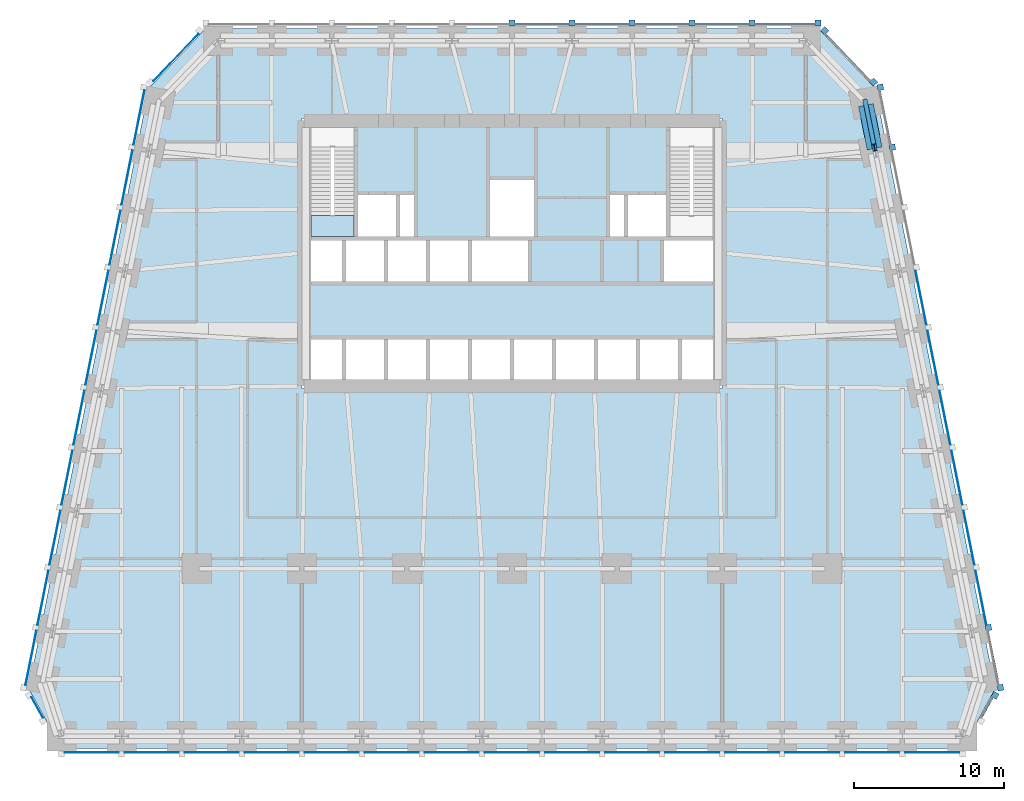
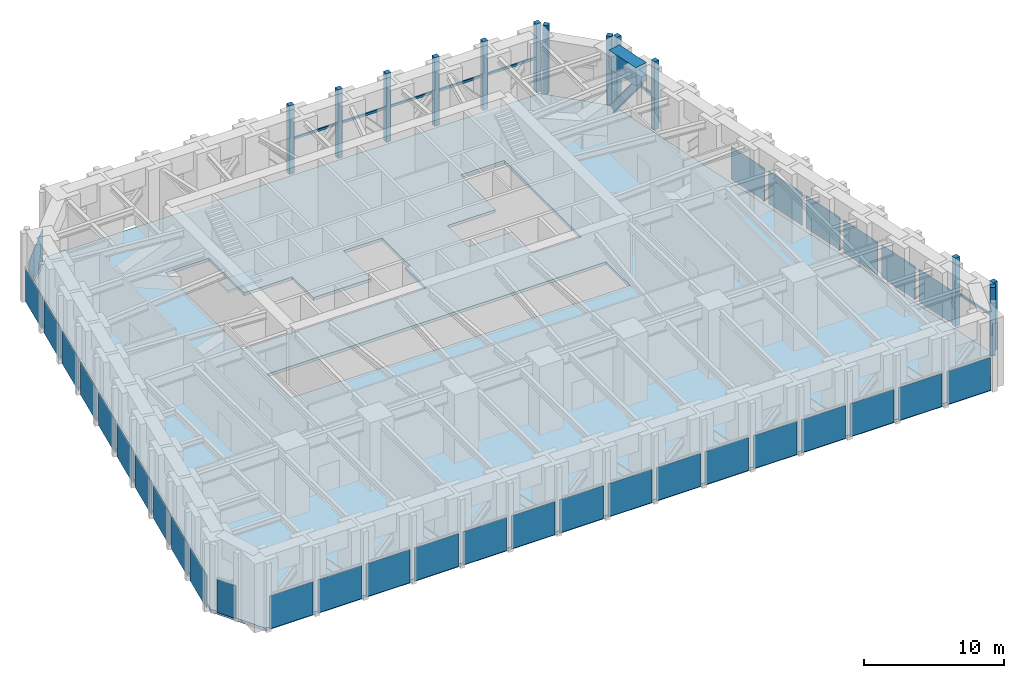
# One storey, part 5 of 9: 33 plates, 22 members, 2 slabs, 1 beam, 9 elements without a shape of their own.
"""IFC4 building model written with IfcOpenShell, lengths in metres."""

from ifc_helpers import new_model, si_unit, direction, frame, origin, origin_2d, place, context, subcontext, project, spatial, polyline, rectangle, i_section, outline, extrude, material, layer, layer_set, material_profile, profile_set, type_object, element, aggregate, save


model = new_model("IFC4")

# Units and contexts
model_context = context("Model", 3, precision=1e-05, world=origin(), true_north=direction((0.0, 1.0)))
body_context = subcontext(model_context, "Body", "Model", "MODEL_VIEW")
ifc_project = project(units=[si_unit("LENGTHUNIT", "METRE"), si_unit("AREAUNIT", "SQUARE_METRE"), si_unit("VOLUMEUNIT", "CUBIC_METRE"), si_unit("PLANEANGLEUNIT", "RADIAN"), si_unit("MASSUNIT", "GRAM", prefix="KILO")], contexts=[model_context])

# Site, building, storey
site_placement = place(None, origin())
site = spatial("IfcSite", under=ifc_project, at=site_placement, CompositionType="ELEMENT")
building_placement = place(site_placement, origin())
building = spatial("IfcBuilding", under=site, at=building_placement, Name="Isbrekke Arena Tower", CompositionType="ELEMENT")
storey_placement = place(building_placement, frame((0.0, 0.0, 92.0)))
storey = spatial("IfcBuildingStorey", under=building, at=storey_placement, Name="L20", CompositionType="ELEMENT", Elevation=92.0)

# Member
ifc_material_1 = material(Name="Steel S355", Category="steel")
ifc_material_profile_1 = material_profile(ifc_material_1, i_section(OverallWidth=0.304931640625, OverallDepth=0.6201171875, WebThickness=0.02099609375, FlangeThickness=0.0400390625, FilletRadius=0.027099609375, at=origin_2d()), Name="HEM 600")
ifc_profile_set_1 = profile_set([ifc_material_profile_1], Name="Steel S355")
member_type_1 = type_object("IfcMemberType", Name="BT1 HEM 600", PredefinedType="BRACE", material=ifc_profile_set_1)
member_1_placement = place(storey_placement, frame((24.149658203125, 22.04443359375, 4.6220703125), z_axis=(-0.118343216485, 0.591764484557, -0.797376747798), x_axis=(-0.980583760369, -0.196100711116, 0.0)))
element("IfcMember", 1, at=member_1_placement, inside=storey, type_object=member_type_1, Name="BT1 belt truss diagonal E10 L20", PredefinedType="BRACE", context=body_context, shape_type="SweptSolid", body=[
    extrude(i_section(OverallWidth=0.304931640625, OverallDepth=0.6201171875, WebThickness=0.02099609375, FlangeThickness=0.0400390625, FilletRadius=0.027099609375, at=origin_2d()), origin(), (0.0, 0.0, 1.0), 5.0439453125),
])

# Curtain wall, member
ifc_material_2 = material(Name="Glazed aluminium curtain wall", Category="aluminium")
curtain_wall_type = type_object("IfcCurtainWallType", Name="CWR PLANT LOUVRE WALL", PredefinedType="USERDEFINED", material=ifc_material_2)
curtain_wall_1_placement = place(storey_placement, origin())
curtain_wall_1 = element("IfcCurtainWall", 2, at=curtain_wall_1_placement, inside=storey, type_object=curtain_wall_type, Name="CWR curtain wall L20-SE", ObjectType="PLANT LOUVRE WALL", PredefinedType="USERDEFINED")
ifc_material_3 = material(Name="Aluminium mullion, pale brick slip cladding", Category="masonry")
ifc_material_profile_2 = material_profile(ifc_material_3, rectangle(XDim=0.39990234375, YDim=0.39990234375, at=origin_2d()), Name="PIER 400X400")
ifc_profile_set_2 = profile_set([ifc_material_profile_2], Name="Aluminium mullion, pale brick slip cladding")
member_type_2 = type_object("IfcMemberType", Name="CWR-M PIER MULLION 400 x 400", PredefinedType="MULLION", material=ifc_profile_set_2)
member_2_placement = place(storey_placement, frame((32.185791015625, -14.441162109375, 0.0), z_axis=(0.0, 0.0, 1.0), x_axis=(0.481918749773, 0.876215908676, 0.0)))
member_2 = element("IfcMember", 3, at=member_2_placement, type_object=member_type_2, Name="CWR-M mullion 2", PredefinedType="MULLION", context=body_context, shape_type="SweptSolid", body=[
    extrude(rectangle(XDim=0.39990234375, YDim=0.39990234375, at=origin_2d()), origin(), (0.0, 0.0, 1.0), 6.0),
])

# Curtain wall, members
curtain_wall_2_placement = place(storey_placement, origin())
curtain_wall_2 = element("IfcCurtainWall", 4, at=curtain_wall_2_placement, inside=storey, type_object=curtain_wall_type, Name="CWR curtain wall L20-E", ObjectType="PLANT LOUVRE WALL", PredefinedType="USERDEFINED")
member_3_placement = place(storey_placement, frame((32.543212890625, -13.931396484375, 0.0), z_axis=(0.0, 0.0, 1.0), x_axis=(-0.196116135138, 0.980580675691, 0.0)))
member_3 = element("IfcMember", 5, at=member_3_placement, type_object=member_type_2, Name="CWR-M mullion 1", PredefinedType="MULLION", context=body_context, shape_type="SweptSolid", body=[
    extrude(rectangle(XDim=0.39990234375, YDim=0.39990234375, at=origin_2d()), origin(), (0.0, 0.0, 1.0), 6.0),
])
member_4_placement = place(storey_placement, frame((31.7431640625, -9.931396484375, 0.0), z_axis=(0.0, 0.0, 1.0), x_axis=(-0.196116135138, 0.980580675691, 0.0)))
member_4 = element("IfcMember", 6, at=member_4_placement, type_object=member_type_2, Name="CWR-M mullion 2", PredefinedType="MULLION", context=body_context, shape_type="SweptSolid", body=[
    extrude(rectangle(XDim=0.39990234375, YDim=0.39990234375, at=origin_2d()), origin(), (0.0, 0.0, 1.0), 6.0),
])
member_5_placement = place(storey_placement, frame((25.34326171875, 22.068603515625, 0.0), z_axis=(0.0, 0.0, 1.0), x_axis=(-0.196116135138, 0.980580675691, 0.0)))
member_5 = element("IfcMember", 7, at=member_5_placement, type_object=member_type_2, Name="CWR-M mullion 10", PredefinedType="MULLION", context=body_context, shape_type="SweptSolid", body=[
    extrude(rectangle(XDim=0.39990234375, YDim=0.39990234375, at=origin_2d()), origin(), (0.0, 0.0, 1.0), 6.0),
])
member_6_placement = place(storey_placement, frame((24.543212890625, 26.068603515625, 0.0), z_axis=(0.0, 0.0, 1.0), x_axis=(-0.196116135138, 0.980580675691, 0.0)))
member_6 = element("IfcMember", 8, at=member_6_placement, type_object=member_type_2, Name="CWR-M mullion 11", PredefinedType="MULLION", context=body_context, shape_type="SweptSolid", body=[
    extrude(rectangle(XDim=0.39990234375, YDim=0.39990234375, at=origin_2d()), origin(), (0.0, 0.0, 1.0), 6.0),
])

curtain_wall_3_placement = place(storey_placement, origin())
curtain_wall_3 = element("IfcCurtainWall", 9, at=curtain_wall_3_placement, inside=storey, type_object=curtain_wall_type, Name="CWR curtain wall L20-EN", ObjectType="PLANT LOUVRE WALL", PredefinedType="USERDEFINED")
member_7_placement = place(storey_placement, frame((24.08740234375, 26.408935546875, 0.0), z_axis=(0.0, 0.0, 1.0), x_axis=(-0.68874946192, 0.72499943359, 0.0)))
member_7 = element("IfcMember", 10, at=member_7_placement, type_object=member_type_2, Name="CWR-M mullion 1", PredefinedType="MULLION", context=body_context, shape_type="SweptSolid", body=[
    extrude(rectangle(XDim=0.39990234375, YDim=0.39990234375, at=origin_2d()), origin(), (0.0, 0.0, 1.0), 6.0),
])
member_8_placement = place(storey_placement, frame((20.830322265625, 29.83740234375, 0.0), z_axis=(0.0, 0.0, 1.0), x_axis=(-0.68874946192, 0.72499943359, 0.0)))
member_8 = element("IfcMember", 11, at=member_8_placement, type_object=member_type_2, Name="CWR-M mullion 2", PredefinedType="MULLION", context=body_context, shape_type="SweptSolid", body=[
    extrude(rectangle(XDim=0.39990234375, YDim=0.39990234375, at=origin_2d()), origin(), (0.0, 0.0, 1.0), 6.0),
])
aggregate(curtain_wall_3, [member_7, member_8])

curtain_wall_4_placement = place(storey_placement, origin())
curtain_wall_4 = element("IfcCurtainWall", 12, at=curtain_wall_4_placement, inside=storey, type_object=curtain_wall_type, Name="CWR curtain wall L20-N", ObjectType="PLANT LOUVRE WALL", PredefinedType="USERDEFINED")
member_9_placement = place(storey_placement, frame((20.39990234375, 30.35009765625, 0.0), z_axis=(0.0, 0.0, 1.0), x_axis=(-1.0, 0.0, 0.0)))
member_9 = element("IfcMember", 13, at=member_9_placement, type_object=member_type_2, Name="CWR-M mullion 1", PredefinedType="MULLION", context=body_context, shape_type="SweptSolid", body=[
    extrude(rectangle(XDim=0.39990234375, YDim=0.39990234375, at=origin_2d()), origin(), (0.0, 0.0, 1.0), 6.0),
])
member_10_placement = place(storey_placement, frame((16.0, 30.35009765625, 0.0), z_axis=(0.0, 0.0, 1.0), x_axis=(-1.0, 0.0, 0.0)))
member_10 = element("IfcMember", 14, at=member_10_placement, type_object=member_type_2, Name="CWR-M mullion 2", PredefinedType="MULLION", context=body_context, shape_type="SweptSolid", body=[
    extrude(rectangle(XDim=0.39990234375, YDim=0.39990234375, at=origin_2d()), origin(), (0.0, 0.0, 1.0), 6.0),
])
member_11_placement = place(storey_placement, frame((12.0, 30.35009765625, 0.0), z_axis=(0.0, 0.0, 1.0), x_axis=(-1.0, 0.0, 0.0)))
member_11 = element("IfcMember", 15, at=member_11_placement, type_object=member_type_2, Name="CWR-M mullion 3", PredefinedType="MULLION", context=body_context, shape_type="SweptSolid", body=[
    extrude(rectangle(XDim=0.39990234375, YDim=0.39990234375, at=origin_2d()), origin(), (0.0, 0.0, 1.0), 6.0),
])
member_12_placement = place(storey_placement, frame((8.0, 30.35009765625, 0.0), z_axis=(0.0, 0.0, 1.0), x_axis=(-1.0, 0.0, 0.0)))
member_12 = element("IfcMember", 16, at=member_12_placement, type_object=member_type_2, Name="CWR-M mullion 4", PredefinedType="MULLION", context=body_context, shape_type="SweptSolid", body=[
    extrude(rectangle(XDim=0.39990234375, YDim=0.39990234375, at=origin_2d()), origin(), (0.0, 0.0, 1.0), 6.0),
])
member_13_placement = place(storey_placement, frame((4.0, 30.35009765625, 0.0), z_axis=(0.0, 0.0, 1.0), x_axis=(-1.0, 0.0, 0.0)))
member_13 = element("IfcMember", 17, at=member_13_placement, type_object=member_type_2, Name="CWR-M mullion 5", PredefinedType="MULLION", context=body_context, shape_type="SweptSolid", body=[
    extrude(rectangle(XDim=0.39990234375, YDim=0.39990234375, at=origin_2d()), origin(), (0.0, 0.0, 1.0), 6.0),
])
member_14_placement = place(storey_placement, frame((0.0, 30.35009765625, 0.0), z_axis=(0.0, 0.0, 1.0), x_axis=(-1.0, 0.0, 0.0)))
member_14 = element("IfcMember", 18, at=member_14_placement, type_object=member_type_2, Name="CWR-M mullion 6", PredefinedType="MULLION", context=body_context, shape_type="SweptSolid", body=[
    extrude(rectangle(XDim=0.39990234375, YDim=0.39990234375, at=origin_2d()), origin(), (0.0, 0.0, 1.0), 6.0),
])

# Member
ifc_material_4 = material(Name="Aluminium transom", Category="aluminium")
ifc_material_profile_3 = material_profile(ifc_material_4, rectangle(XDim=0.1201171875, YDim=0.199951171875, at=origin_2d()), Name="TRANSOM 120X200")
ifc_profile_set_3 = profile_set([ifc_material_profile_3], Name="Aluminium transom")
member_type_3 = type_object("IfcMemberType", Name="CWR-T TRANSOM 120 x 200", PredefinedType="USERDEFINED", material=ifc_profile_set_3)
member_15_placement = place(storey_placement, frame((31.253173828125, -15.92919921875, 3.0), z_axis=(0.481888582164, 0.876232500185, 0.0), x_axis=(-0.876232500185, 0.481888582164, 0.0)))
member_15 = element("IfcMember", 19, at=member_15_placement, type_object=member_type_3, Name="CWR-T transom 1", ObjectType="TRANSOM", PredefinedType="USERDEFINED", context=body_context, shape_type="SweptSolid", body=[
    extrude(rectangle(XDim=0.1201171875, YDim=0.199951171875, at=origin_2d()), origin(), (0.0, 0.0, 1.0), 1.55322265625),
])

aggregate(curtain_wall_1, [member_2, member_15])

member_16_placement = place(storey_placement, frame((32.406005859375, -13.7548828125, 3.0), z_axis=(-0.196141655741, 0.980575571225, 0.0), x_axis=(-0.980575571225, -0.196141655741, 0.0)))
member_16 = element("IfcMember", 20, at=member_16_placement, type_object=member_type_3, Name="CWR-T transom 1", ObjectType="TRANSOM", PredefinedType="USERDEFINED", context=body_context, shape_type="SweptSolid", body=[
    extrude(rectangle(XDim=0.1201171875, YDim=0.199951171875, at=origin_2d()), origin(), (0.0, 0.0, 1.0), 3.679443359375),
])

member_17_placement = place(storey_placement, frame((25.205810546875, 22.2451171875, 3.0), z_axis=(-0.196077853487, 0.980588331244, 0.0), x_axis=(-0.980588331244, -0.196077853487, 0.0)))
member_17 = element("IfcMember", 21, at=member_17_placement, type_object=member_type_3, Name="CWR-T transom 10", ObjectType="TRANSOM", PredefinedType="USERDEFINED", context=body_context, shape_type="SweptSolid", body=[
    extrude(rectangle(XDim=0.1201171875, YDim=0.199951171875, at=origin_2d()), origin(), (0.0, 0.0, 1.0), 3.679443359375),
])

member_18_placement = place(storey_placement, frame((20.199951171875, 30.25, 3.0), z_axis=(-1.0, 0.0, 0.0), x_axis=(0.0, -1.0, 0.0)))
member_18 = element("IfcMember", 22, at=member_18_placement, type_object=member_type_3, Name="CWR-T transom 1", ObjectType="TRANSOM", PredefinedType="USERDEFINED", context=body_context, shape_type="SweptSolid", body=[
    extrude(rectangle(XDim=0.1201171875, YDim=0.199951171875, at=origin_2d()), origin(), (0.0, 0.0, 1.0), 4.0),
])

member_19_placement = place(storey_placement, frame((15.800048828125, 30.25, 3.0), z_axis=(-1.0, 0.0, 0.0), x_axis=(0.0, -1.0, 0.0)))
member_19 = element("IfcMember", 23, at=member_19_placement, type_object=member_type_3, Name="CWR-T transom 2", ObjectType="TRANSOM", PredefinedType="USERDEFINED", context=body_context, shape_type="SweptSolid", body=[
    extrude(rectangle(XDim=0.1201171875, YDim=0.199951171875, at=origin_2d()), origin(), (0.0, 0.0, 1.0), 3.60009765625),
])

member_20_placement = place(storey_placement, frame((11.800048828125, 30.25, 3.0), z_axis=(-1.0, 0.0, 0.0), x_axis=(0.0, -1.0, 0.0)))
member_20 = element("IfcMember", 24, at=member_20_placement, type_object=member_type_3, Name="CWR-T transom 3", ObjectType="TRANSOM", PredefinedType="USERDEFINED", context=body_context, shape_type="SweptSolid", body=[
    extrude(rectangle(XDim=0.1201171875, YDim=0.199951171875, at=origin_2d()), origin(), (0.0, 0.0, 1.0), 3.60009765625),
])

member_21_placement = place(storey_placement, frame((7.800048828125, 30.25, 3.0), z_axis=(-1.0, 0.0, 0.0), x_axis=(0.0, -1.0, 0.0)))
member_21 = element("IfcMember", 25, at=member_21_placement, type_object=member_type_3, Name="CWR-T transom 4", ObjectType="TRANSOM", PredefinedType="USERDEFINED", context=body_context, shape_type="SweptSolid", body=[
    extrude(rectangle(XDim=0.1201171875, YDim=0.199951171875, at=origin_2d()), origin(), (0.0, 0.0, 1.0), 3.60009765625),
])

member_22_placement = place(storey_placement, frame((3.800048828125, 30.25, 3.0), z_axis=(-1.0, 0.0, 0.0), x_axis=(0.0, -1.0, 0.0)))
member_22 = element("IfcMember", 26, at=member_22_placement, type_object=member_type_3, Name="CWR-T transom 5", ObjectType="TRANSOM", PredefinedType="USERDEFINED", context=body_context, shape_type="SweptSolid", body=[
    extrude(rectangle(XDim=0.1201171875, YDim=0.199951171875, at=origin_2d()), origin(), (0.0, 0.0, 1.0), 3.60009765625),
])

aggregate(curtain_wall_4, [member_9, member_10, member_11, member_12, member_13, member_14, member_18, member_19, member_20, member_21, member_22])

# Beam
ifc_material_5 = material(Name="Concrete B90 (C90/105)", Category="concrete")
ifc_material_profile_4 = material_profile(ifc_material_5, rectangle(XDim=1.0, YDim=1.60009765625, at=origin_2d()), Name="RC 1000x1600")
ifc_profile_set_4 = profile_set([ifc_material_profile_4], Name="Concrete B90 (C90/105)")
beam_type = type_object("IfcBeamType", Name="SB1 RC 1000 x 1600", PredefinedType="SPANDREL", material=ifc_profile_set_4)
beam_placement = place(storey_placement, frame((24.16162109375, 21.9853515625, 5.199951171875), z_axis=(-0.196116135138, 0.980580675691, 0.0), x_axis=(-0.980580675691, -0.196116135138, 0.0)))
element("IfcBeam", 27, at=beam_placement, inside=storey, type_object=beam_type, Name="SB1 spandrel E10-E11 L20", PredefinedType="SPANDREL", context=body_context, shape_type="SweptSolid", body=[
    extrude(rectangle(XDim=1.0, YDim=1.60009765625, at=origin_2d()), origin(), (0.0, 0.0, 1.0), 2.9541015625),
])

# Curtain wall, plates
curtain_wall_5_placement = place(storey_placement, origin())
curtain_wall_5 = element("IfcCurtainWall", 28, at=curtain_wall_5_placement, inside=storey, type_object=curtain_wall_type, Name="CWR curtain wall L20-S", ObjectType="PLANT LOUVRE WALL", PredefinedType="USERDEFINED")
ifc_material_6 = material(Name="Aluminium louvre", Category="aluminium")
ifc_layer_1 = layer(ifc_material_6, 0.031982421875)
ifc_layer_set_1 = layer_set([ifc_layer_1], Name="CWR-P LOUVRE PANEL")
plate_type = type_object("IfcPlateType", Name="CWR-P LOUVRE PANEL", PredefinedType="CURTAIN_PANEL", material=ifc_layer_set_1)
plate_1_placement = place(storey_placement, frame((-28.0, -18.25, 0.02001953125), z_axis=(0.0, 0.0, 1.0), x_axis=(1.0, 0.0, 0.0)))
plate_1 = element("IfcPlate", 29, at=plate_1_placement, type_object=plate_type, Name="CWR-P panel 1", PredefinedType="CURTAIN_PANEL", context=body_context, shape_type="SweptSolid", body=[
    extrude(rectangle(XDim=3.60009765625, YDim=0.031982421875, at=origin_2d()), origin(), (0.0, 0.0, 1.0), 2.8798828125),
])
plate_2_placement = place(storey_placement, frame((-24.0, -18.25, 0.02001953125), z_axis=(0.0, 0.0, 1.0), x_axis=(1.0, 0.0, 0.0)))
plate_2 = element("IfcPlate", 30, at=plate_2_placement, type_object=plate_type, Name="CWR-P panel 2", PredefinedType="CURTAIN_PANEL", context=body_context, shape_type="SweptSolid", body=[
    extrude(rectangle(XDim=3.60009765625, YDim=0.031982421875, at=origin_2d()), origin(), (0.0, 0.0, 1.0), 2.8798828125),
])
plate_3_placement = place(storey_placement, frame((-20.0, -18.25, 0.02001953125), z_axis=(0.0, 0.0, 1.0), x_axis=(1.0, 0.0, 0.0)))
plate_3 = element("IfcPlate", 31, at=plate_3_placement, type_object=plate_type, Name="CWR-P panel 3", PredefinedType="CURTAIN_PANEL", context=body_context, shape_type="SweptSolid", body=[
    extrude(rectangle(XDim=3.60009765625, YDim=0.031982421875, at=origin_2d()), origin(), (0.0, 0.0, 1.0), 2.8798828125),
])
plate_4_placement = place(storey_placement, frame((-16.0, -18.25, 0.02001953125), z_axis=(0.0, 0.0, 1.0), x_axis=(1.0, 0.0, 0.0)))
plate_4 = element("IfcPlate", 32, at=plate_4_placement, type_object=plate_type, Name="CWR-P panel 4", PredefinedType="CURTAIN_PANEL", context=body_context, shape_type="SweptSolid", body=[
    extrude(rectangle(XDim=3.60009765625, YDim=0.031982421875, at=origin_2d()), origin(), (0.0, 0.0, 1.0), 2.8798828125),
])
plate_5_placement = place(storey_placement, frame((-12.0, -18.25, 0.02001953125), z_axis=(0.0, 0.0, 1.0), x_axis=(1.0, 0.0, 0.0)))
plate_5 = element("IfcPlate", 33, at=plate_5_placement, type_object=plate_type, Name="CWR-P panel 5", PredefinedType="CURTAIN_PANEL", context=body_context, shape_type="SweptSolid", body=[
    extrude(rectangle(XDim=3.60009765625, YDim=0.031982421875, at=origin_2d()), origin(), (0.0, 0.0, 1.0), 2.8798828125),
])
plate_6_placement = place(storey_placement, frame((-8.0, -18.25, 0.02001953125), z_axis=(0.0, 0.0, 1.0), x_axis=(1.0, 0.0, 0.0)))
plate_6 = element("IfcPlate", 34, at=plate_6_placement, type_object=plate_type, Name="CWR-P panel 6", PredefinedType="CURTAIN_PANEL", context=body_context, shape_type="SweptSolid", body=[
    extrude(rectangle(XDim=3.60009765625, YDim=0.031982421875, at=origin_2d()), origin(), (0.0, 0.0, 1.0), 2.8798828125),
])
plate_7_placement = place(storey_placement, frame((-4.0, -18.25, 0.02001953125), z_axis=(0.0, 0.0, 1.0), x_axis=(1.0, 0.0, 0.0)))
plate_7 = element("IfcPlate", 35, at=plate_7_placement, type_object=plate_type, Name="CWR-P panel 7", PredefinedType="CURTAIN_PANEL", context=body_context, shape_type="SweptSolid", body=[
    extrude(rectangle(XDim=3.60009765625, YDim=0.031982421875, at=origin_2d()), origin(), (0.0, 0.0, 1.0), 2.8798828125),
])
plate_8_placement = place(storey_placement, frame((0.0, -18.25, 0.02001953125), z_axis=(0.0, 0.0, 1.0), x_axis=(1.0, 0.0, 0.0)))
plate_8 = element("IfcPlate", 36, at=plate_8_placement, type_object=plate_type, Name="CWR-P panel 8", PredefinedType="CURTAIN_PANEL", context=body_context, shape_type="SweptSolid", body=[
    extrude(rectangle(XDim=3.60009765625, YDim=0.031982421875, at=origin_2d()), origin(), (0.0, 0.0, 1.0), 2.8798828125),
])
plate_9_placement = place(storey_placement, frame((4.0, -18.25, 0.02001953125), z_axis=(0.0, 0.0, 1.0), x_axis=(1.0, 0.0, 0.0)))
plate_9 = element("IfcPlate", 37, at=plate_9_placement, type_object=plate_type, Name="CWR-P panel 9", PredefinedType="CURTAIN_PANEL", context=body_context, shape_type="SweptSolid", body=[
    extrude(rectangle(XDim=3.60009765625, YDim=0.031982421875, at=origin_2d()), origin(), (0.0, 0.0, 1.0), 2.8798828125),
])
plate_10_placement = place(storey_placement, frame((8.0, -18.25, 0.02001953125), z_axis=(0.0, 0.0, 1.0), x_axis=(1.0, 0.0, 0.0)))
plate_10 = element("IfcPlate", 38, at=plate_10_placement, type_object=plate_type, Name="CWR-P panel 10", PredefinedType="CURTAIN_PANEL", context=body_context, shape_type="SweptSolid", body=[
    extrude(rectangle(XDim=3.60009765625, YDim=0.031982421875, at=origin_2d()), origin(), (0.0, 0.0, 1.0), 2.8798828125),
])
plate_11_placement = place(storey_placement, frame((12.0, -18.25, 0.02001953125), z_axis=(0.0, 0.0, 1.0), x_axis=(1.0, 0.0, 0.0)))
plate_11 = element("IfcPlate", 39, at=plate_11_placement, type_object=plate_type, Name="CWR-P panel 11", PredefinedType="CURTAIN_PANEL", context=body_context, shape_type="SweptSolid", body=[
    extrude(rectangle(XDim=3.60009765625, YDim=0.031982421875, at=origin_2d()), origin(), (0.0, 0.0, 1.0), 2.8798828125),
])
plate_12_placement = place(storey_placement, frame((16.0, -18.25, 0.02001953125), z_axis=(0.0, 0.0, 1.0), x_axis=(1.0, 0.0, 0.0)))
plate_12 = element("IfcPlate", 40, at=plate_12_placement, type_object=plate_type, Name="CWR-P panel 12", PredefinedType="CURTAIN_PANEL", context=body_context, shape_type="SweptSolid", body=[
    extrude(rectangle(XDim=3.60009765625, YDim=0.031982421875, at=origin_2d()), origin(), (0.0, 0.0, 1.0), 2.8798828125),
])
plate_13_placement = place(storey_placement, frame((20.0, -18.25, 0.02001953125), z_axis=(0.0, 0.0, 1.0), x_axis=(1.0, 0.0, 0.0)))
plate_13 = element("IfcPlate", 41, at=plate_13_placement, type_object=plate_type, Name="CWR-P panel 13", PredefinedType="CURTAIN_PANEL", context=body_context, shape_type="SweptSolid", body=[
    extrude(rectangle(XDim=3.60009765625, YDim=0.031982421875, at=origin_2d()), origin(), (0.0, 0.0, 1.0), 2.8798828125),
])
plate_14_placement = place(storey_placement, frame((24.0, -18.25, 0.02001953125), z_axis=(0.0, 0.0, 1.0), x_axis=(1.0, 0.0, 0.0)))
plate_14 = element("IfcPlate", 42, at=plate_14_placement, type_object=plate_type, Name="CWR-P panel 14", PredefinedType="CURTAIN_PANEL", context=body_context, shape_type="SweptSolid", body=[
    extrude(rectangle(XDim=3.60009765625, YDim=0.031982421875, at=origin_2d()), origin(), (0.0, 0.0, 1.0), 2.8798828125),
])
plate_15_placement = place(storey_placement, frame((28.0, -18.25, 0.02001953125), z_axis=(0.0, 0.0, 1.0), x_axis=(1.0, 0.0, 0.0)))
plate_15 = element("IfcPlate", 43, at=plate_15_placement, type_object=plate_type, Name="CWR-P panel 15", PredefinedType="CURTAIN_PANEL", context=body_context, shape_type="SweptSolid", body=[
    extrude(rectangle(XDim=3.60009765625, YDim=0.031982421875, at=origin_2d()), origin(), (0.0, 0.0, 1.0), 2.8798828125),
])
aggregate(curtain_wall_5, [plate_1, plate_2, plate_3, plate_4, plate_5, plate_6, plate_7, plate_8, plate_9, plate_10, plate_11, plate_12, plate_13, plate_14, plate_15])

# Plate
plate_16_placement = place(storey_placement, frame((31.2451171875, -7.950927734375, 0.02001953125), z_axis=(0.0, 0.0, 1.0), x_axis=(-0.196116135138, 0.980580675691, 0.0)))
plate_16 = element("IfcPlate", 44, at=plate_16_placement, type_object=plate_type, Name="CWR-P panel 2", PredefinedType="CURTAIN_PANEL", context=body_context, shape_type="SweptSolid", body=[
    extrude(rectangle(XDim=3.67919921875, YDim=0.031982421875, at=origin_2d()), origin(), (0.0, 0.0, 1.0), 2.8798828125),
])

plate_17_placement = place(storey_placement, frame((30.445068359375, -3.950927734375, 0.02001953125), z_axis=(0.0, 0.0, 1.0), x_axis=(-0.196116135138, 0.980580675691, 0.0)))
plate_17 = element("IfcPlate", 45, at=plate_17_placement, type_object=plate_type, Name="CWR-P panel 3", PredefinedType="CURTAIN_PANEL", context=body_context, shape_type="SweptSolid", body=[
    extrude(rectangle(XDim=3.67919921875, YDim=0.031982421875, at=origin_2d()), origin(), (0.0, 0.0, 1.0), 2.8798828125),
])

plate_18_placement = place(storey_placement, frame((29.645263671875, 0.049072265625, 0.02001953125), z_axis=(0.0, 0.0, 1.0), x_axis=(-0.196116135138, 0.980580675691, 0.0)))
plate_18 = element("IfcPlate", 46, at=plate_18_placement, type_object=plate_type, Name="CWR-P panel 4", PredefinedType="CURTAIN_PANEL", context=body_context, shape_type="SweptSolid", body=[
    extrude(rectangle(XDim=3.67919921875, YDim=0.031982421875, at=origin_2d()), origin(), (0.0, 0.0, 1.0), 2.8798828125),
])

plate_19_placement = place(storey_placement, frame((28.84521484375, 4.049072265625, 0.02001953125), z_axis=(0.0, 0.0, 1.0), x_axis=(-0.196116135138, 0.980580675691, 0.0)))
plate_19 = element("IfcPlate", 47, at=plate_19_placement, type_object=plate_type, Name="CWR-P panel 5", PredefinedType="CURTAIN_PANEL", context=body_context, shape_type="SweptSolid", body=[
    extrude(rectangle(XDim=3.67919921875, YDim=0.031982421875, at=origin_2d()), origin(), (0.0, 0.0, 1.0), 2.8798828125),
])

plate_20_placement = place(storey_placement, frame((28.045166015625, 8.049072265625, 0.02001953125), z_axis=(0.0, 0.0, 1.0), x_axis=(-0.196116135138, 0.980580675691, 0.0)))
plate_20 = element("IfcPlate", 48, at=plate_20_placement, type_object=plate_type, Name="CWR-P panel 6", PredefinedType="CURTAIN_PANEL", context=body_context, shape_type="SweptSolid", body=[
    extrude(rectangle(XDim=3.67919921875, YDim=0.031982421875, at=origin_2d()), origin(), (0.0, 0.0, 1.0), 2.8798828125),
])

plate_21_placement = place(storey_placement, frame((27.2451171875, 12.049072265625, 0.02001953125), z_axis=(0.0, 0.0, 1.0), x_axis=(-0.196116135138, 0.980580675691, 0.0)))
plate_21 = element("IfcPlate", 49, at=plate_21_placement, type_object=plate_type, Name="CWR-P panel 7", PredefinedType="CURTAIN_PANEL", context=body_context, shape_type="SweptSolid", body=[
    extrude(rectangle(XDim=3.67919921875, YDim=0.031982421875, at=origin_2d()), origin(), (0.0, 0.0, 1.0), 2.8798828125),
])

aggregate(curtain_wall_2, [member_3, member_4, member_5, member_6, member_16, plate_16, plate_17, plate_18, plate_19, plate_20, plate_21, member_17])

# Curtain wall, plate
curtain_wall_6_placement = place(storey_placement, origin())
curtain_wall_6 = element("IfcCurtainWall", 50, at=curtain_wall_6_placement, inside=storey, type_object=curtain_wall_type, Name="CWR curtain wall L20-NW", ObjectType="PLANT LOUVRE WALL", PredefinedType="USERDEFINED")
plate_22_placement = place(storey_placement, frame((-22.38623046875, 28.054443359375, 0.02001953125), z_axis=(0.0, 0.0, 1.0), x_axis=(-0.68874946192, -0.72499943359, 0.0)))
plate_22 = element("IfcPlate", 51, at=plate_22_placement, type_object=plate_type, Name="CWR-P panel 1", PredefinedType="CURTAIN_PANEL", context=body_context, shape_type="SweptSolid", body=[
    extrude(rectangle(XDim=4.327880859375, YDim=0.031982421875, at=origin_2d()), origin(), (0.0, 0.0, 1.0), 2.8798828125),
])
aggregate(curtain_wall_6, [plate_22])

# Curtain wall, plates
curtain_wall_7_placement = place(storey_placement, origin())
curtain_wall_7 = element("IfcCurtainWall", 52, at=curtain_wall_7_placement, inside=storey, type_object=curtain_wall_type, Name="CWR curtain wall L20-W", ObjectType="PLANT LOUVRE WALL", PredefinedType="USERDEFINED")
plate_23_placement = place(storey_placement, frame((-24.84521484375, 24.049072265625, 0.02001953125), z_axis=(0.0, 0.0, 1.0), x_axis=(-0.196116135138, -0.980580675691, 0.0)))
plate_23 = element("IfcPlate", 53, at=plate_23_placement, type_object=plate_type, Name="CWR-P panel 1", PredefinedType="CURTAIN_PANEL", context=body_context, shape_type="SweptSolid", body=[
    extrude(rectangle(XDim=3.67919921875, YDim=0.031982421875, at=origin_2d()), origin(), (0.0, 0.0, 1.0), 2.8798828125),
])
plate_24_placement = place(storey_placement, frame((-25.645263671875, 20.049072265625, 0.02001953125), z_axis=(0.0, 0.0, 1.0), x_axis=(-0.196116135138, -0.980580675691, 0.0)))
plate_24 = element("IfcPlate", 54, at=plate_24_placement, type_object=plate_type, Name="CWR-P panel 2", PredefinedType="CURTAIN_PANEL", context=body_context, shape_type="SweptSolid", body=[
    extrude(rectangle(XDim=3.67919921875, YDim=0.031982421875, at=origin_2d()), origin(), (0.0, 0.0, 1.0), 2.8798828125),
])
plate_25_placement = place(storey_placement, frame((-26.445068359375, 16.049072265625, 0.02001953125), z_axis=(0.0, 0.0, 1.0), x_axis=(-0.196116135138, -0.980580675691, 0.0)))
plate_25 = element("IfcPlate", 55, at=plate_25_placement, type_object=plate_type, Name="CWR-P panel 3", PredefinedType="CURTAIN_PANEL", context=body_context, shape_type="SweptSolid", body=[
    extrude(rectangle(XDim=3.67919921875, YDim=0.031982421875, at=origin_2d()), origin(), (0.0, 0.0, 1.0), 2.8798828125),
])
plate_26_placement = place(storey_placement, frame((-27.2451171875, 12.049072265625, 0.02001953125), z_axis=(0.0, 0.0, 1.0), x_axis=(-0.196116135138, -0.980580675691, 0.0)))
plate_26 = element("IfcPlate", 56, at=plate_26_placement, type_object=plate_type, Name="CWR-P panel 4", PredefinedType="CURTAIN_PANEL", context=body_context, shape_type="SweptSolid", body=[
    extrude(rectangle(XDim=3.67919921875, YDim=0.031982421875, at=origin_2d()), origin(), (0.0, 0.0, 1.0), 2.8798828125),
])
plate_27_placement = place(storey_placement, frame((-28.045166015625, 8.049072265625, 0.02001953125), z_axis=(0.0, 0.0, 1.0), x_axis=(-0.196116135138, -0.980580675691, 0.0)))
plate_27 = element("IfcPlate", 57, at=plate_27_placement, type_object=plate_type, Name="CWR-P panel 5", PredefinedType="CURTAIN_PANEL", context=body_context, shape_type="SweptSolid", body=[
    extrude(rectangle(XDim=3.67919921875, YDim=0.031982421875, at=origin_2d()), origin(), (0.0, 0.0, 1.0), 2.8798828125),
])
plate_28_placement = place(storey_placement, frame((-28.84521484375, 4.049072265625, 0.02001953125), z_axis=(0.0, 0.0, 1.0), x_axis=(-0.196116135138, -0.980580675691, 0.0)))
plate_28 = element("IfcPlate", 58, at=plate_28_placement, type_object=plate_type, Name="CWR-P panel 6", PredefinedType="CURTAIN_PANEL", context=body_context, shape_type="SweptSolid", body=[
    extrude(rectangle(XDim=3.67919921875, YDim=0.031982421875, at=origin_2d()), origin(), (0.0, 0.0, 1.0), 2.8798828125),
])
plate_29_placement = place(storey_placement, frame((-29.645263671875, 0.049072265625, 0.02001953125), z_axis=(0.0, 0.0, 1.0), x_axis=(-0.196116135138, -0.980580675691, 0.0)))
plate_29 = element("IfcPlate", 59, at=plate_29_placement, type_object=plate_type, Name="CWR-P panel 7", PredefinedType="CURTAIN_PANEL", context=body_context, shape_type="SweptSolid", body=[
    extrude(rectangle(XDim=3.67919921875, YDim=0.031982421875, at=origin_2d()), origin(), (0.0, 0.0, 1.0), 2.8798828125),
])
plate_30_placement = place(storey_placement, frame((-30.445068359375, -3.950927734375, 0.02001953125), z_axis=(0.0, 0.0, 1.0), x_axis=(-0.196116135138, -0.980580675691, 0.0)))
plate_30 = element("IfcPlate", 60, at=plate_30_placement, type_object=plate_type, Name="CWR-P panel 8", PredefinedType="CURTAIN_PANEL", context=body_context, shape_type="SweptSolid", body=[
    extrude(rectangle(XDim=3.67919921875, YDim=0.031982421875, at=origin_2d()), origin(), (0.0, 0.0, 1.0), 2.8798828125),
])
plate_31_placement = place(storey_placement, frame((-31.2451171875, -7.950927734375, 0.02001953125), z_axis=(0.0, 0.0, 1.0), x_axis=(-0.196116135138, -0.980580675691, 0.0)))
plate_31 = element("IfcPlate", 61, at=plate_31_placement, type_object=plate_type, Name="CWR-P panel 9", PredefinedType="CURTAIN_PANEL", context=body_context, shape_type="SweptSolid", body=[
    extrude(rectangle(XDim=3.67919921875, YDim=0.031982421875, at=origin_2d()), origin(), (0.0, 0.0, 1.0), 2.8798828125),
])
plate_32_placement = place(storey_placement, frame((-32.045166015625, -11.950927734375, 0.02001953125), z_axis=(0.0, 0.0, 1.0), x_axis=(-0.196116135138, -0.980580675691, 0.0)))
plate_32 = element("IfcPlate", 62, at=plate_32_placement, type_object=plate_type, Name="CWR-P panel 10", PredefinedType="CURTAIN_PANEL", context=body_context, shape_type="SweptSolid", body=[
    extrude(rectangle(XDim=3.67919921875, YDim=0.031982421875, at=origin_2d()), origin(), (0.0, 0.0, 1.0), 2.8798828125),
])
aggregate(curtain_wall_7, [plate_23, plate_24, plate_25, plate_26, plate_27, plate_28, plate_29, plate_30, plate_31, plate_32])

# Curtain wall, plate
curtain_wall_8_placement = place(storey_placement, origin())
curtain_wall_8 = element("IfcCurtainWall", 63, at=curtain_wall_8_placement, inside=storey, type_object=curtain_wall_type, Name="CWR curtain wall L20-WS", ObjectType="PLANT LOUVRE WALL", PredefinedType="USERDEFINED")
plate_33_placement = place(storey_placement, frame((-31.627197265625, -15.2490234375, 0.02001953125), z_axis=(0.0, 0.0, 1.0), x_axis=(0.481918749773, -0.876215908676, 0.0)))
plate_33 = element("IfcPlate", 64, at=plate_33_placement, type_object=plate_type, Name="CWR-P panel 1", PredefinedType="CURTAIN_PANEL", context=body_context, shape_type="SweptSolid", body=[
    extrude(rectangle(XDim=1.55517578125, YDim=0.031982421875, at=origin_2d()), origin(), (0.0, 0.0, 1.0), 2.8798828125),
])
aggregate(curtain_wall_8, [plate_33])

# Slab
ifc_material_7 = material(Name="Concrete B35 (C35/45)", Category="concrete")
ifc_layer_2 = layer(ifc_material_7, 0.25)
ifc_layer_set_2 = layer_set([ifc_layer_2], Name="FS2 PLANT FLOOR 250")
slab_type_1 = type_object("IfcSlabType", Name="FS2 PLANT FLOOR 250", PredefinedType="FLOOR", material=ifc_layer_set_2)
slab_1_placement = place(storey_placement, frame((0.0, 0.0, -0.25)))
element("IfcSlab", 65, at=slab_1_placement, inside=storey, type_object=slab_type_1, Name="FS2 floor slab L20", PredefinedType="FLOOR", context=body_context, shape_type="SweptSolid", body=[
    extrude(outline(polyline([(-30.0, -18.0), (30.0, -18.0), (32.199951171875, -14.0), (24.199951171875, 26.0), (20.39990234375, 30.0), (-20.39990234375, 30.0), (-24.199951171875, 26.0), (-32.199951171875, -14.0), (-30.0, -18.0)]), holes=[polyline([(14.0, 9.39990234375), (14.0, 6.0), (-14.0, 6.0), (-14.0, 9.39990234375), (14.0, 9.39990234375)]), polyline([(-6.39990234375, 19.0), (-6.39990234375, 16.0), (-1.60009765625, 16.0), (-1.60009765625, 20.0), (1.60009765625, 20.0), (1.60009765625, 16.0), (1.199951171875, 16.0), (1.199951171875, 13.0), (-14.0, 13.0), (-14.0, 24.0), (-10.39990234375, 24.0), (-10.39990234375, 19.0), (-6.39990234375, 19.0)]), polyline([(10.0, 13.0), (10.0, 16.0), (6.39990234375, 16.0), (6.39990234375, 19.0), (10.39990234375, 19.0), (10.39990234375, 24.0), (14.0, 24.0), (14.0, 13.0), (10.0, 13.0)])]), origin(), (0.0, 0.0, 1.0), 0.25),
])

# Stair, slab
ifc_material_8 = material(Name="Concrete B45 (C45/55) precast", Category="concrete")
stair_type = type_object("IfcStairType", Name="ST60 STAIR 1300 WIDE, 36 RISERS 167", PredefinedType="HALF_TURN_STAIR", material=ifc_material_8)
stair_placement = place(storey_placement, origin())
stair = element("IfcStair", 66, at=stair_placement, inside=storey, type_object=stair_type, Name="ST1 stair L20", PredefinedType="HALF_TURN_STAIR")
ifc_material_9 = material(Name="Concrete B35 (C35/45)", Category="concrete")
ifc_layer_3 = layer(ifc_material_9, 0.199951171875)
ifc_layer_set_3 = layer_set([ifc_layer_3], Name="SL1 STAIR LANDING 200")
slab_type_2 = type_object("IfcSlabType", Name="SL1 STAIR LANDING 200", PredefinedType="LANDING", material=ifc_layer_set_3)
slab_2_placement = place(storey_placement, frame((0.0, 0.0, 2.800048828125)))
slab_2 = element("IfcSlab", 67, at=slab_2_placement, type_object=slab_type_2, Name="ST1 landing 1", PredefinedType="LANDING", context=body_context, shape_type="SweptSolid", body=[
    extrude(outline(polyline([(-13.39990234375, 16.125), (-10.52490234375, 16.125), (-10.52490234375, 17.510009765625), (-13.39990234375, 17.510009765625), (-13.39990234375, 16.125)])), origin(), (0.0, 0.0, 1.0), 0.199951171875),
])
aggregate(stair, [slab_2])

save(model, "model.ifc")
